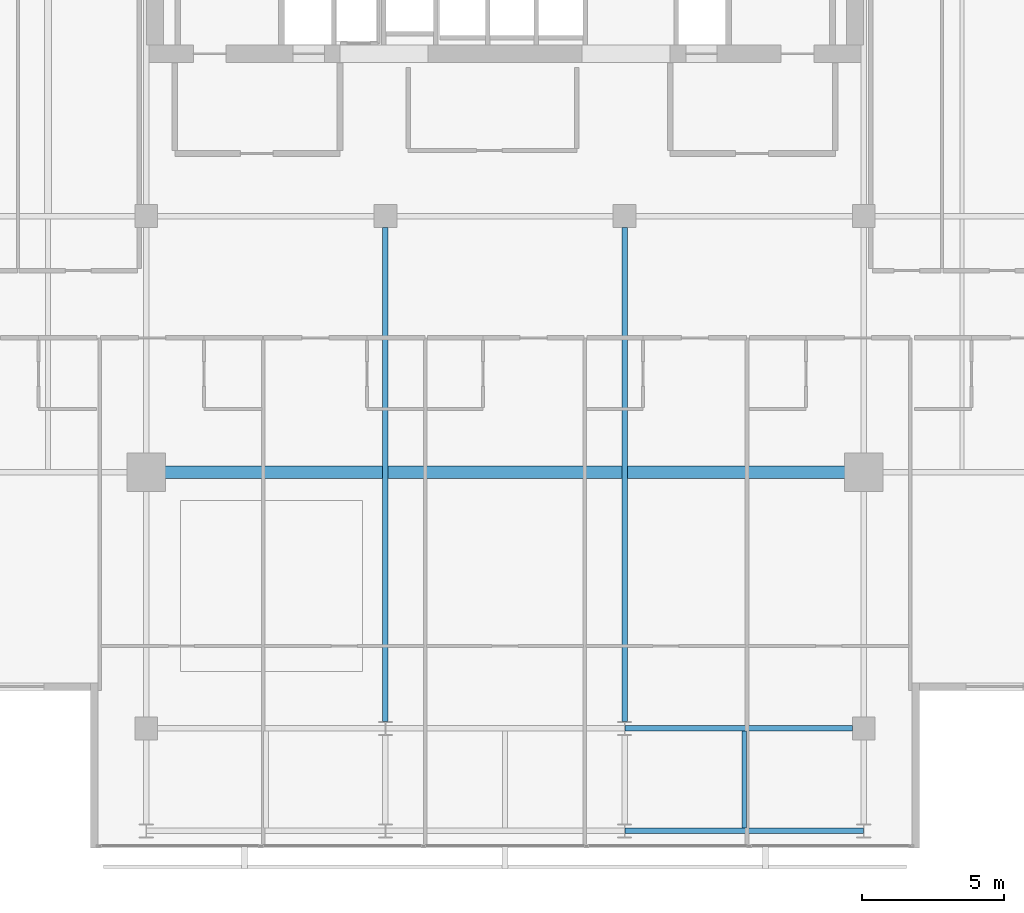
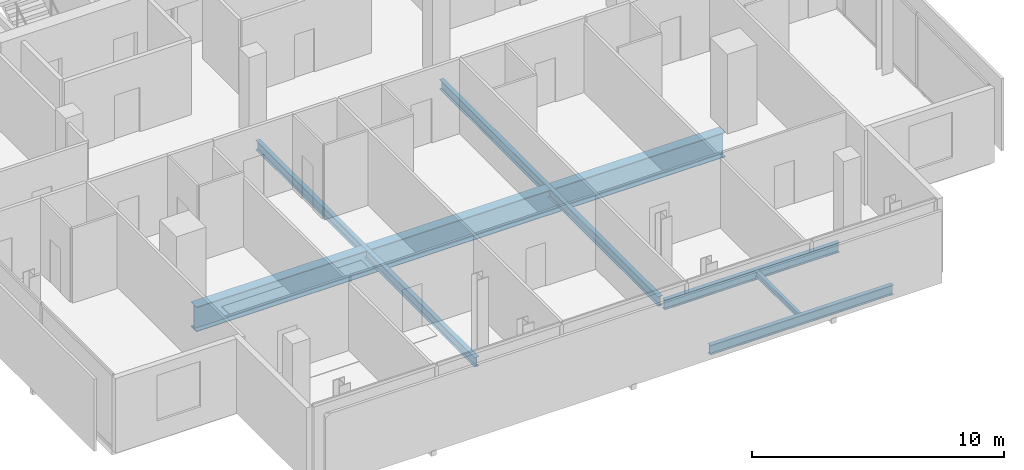
# One storey, part 6 of 24: 6 beams.
"""IFC4 building model written with IfcOpenShell, lengths in metres."""

from ifc_helpers import new_model, si_unit, direction, frame, origin, origin_2d, place, context, subcontext, project, spatial, i_section, extrude, material, material_profile, profile_set, type_object, element, save


model = new_model("IFC4")

# Units and contexts
model_context = context("Model", 3, precision=1e-05, world=origin(), true_north=direction((0.0, 1.0)))
body_context = subcontext(model_context, "Body", "Model", "MODEL_VIEW")
ifc_project = project(units=[si_unit("LENGTHUNIT", "METRE"), si_unit("AREAUNIT", "SQUARE_METRE"), si_unit("VOLUMEUNIT", "CUBIC_METRE"), si_unit("PLANEANGLEUNIT", "RADIAN"), si_unit("MASSUNIT", "GRAM", prefix="KILO")], contexts=[model_context])

# Site, building, storey
site_placement = place(None, origin())
site = spatial("IfcSite", under=ifc_project, at=site_placement, CompositionType="ELEMENT")
building_placement = place(site_placement, origin())
building = spatial("IfcBuilding", under=site, at=building_placement, Name="Maruvema Waterfront Hotel and Observation Tower", CompositionType="ELEMENT")
storey_placement = place(building_placement, frame((0.0, 0.0, 329.699951171875)))
storey = spatial("IfcBuildingStorey", under=building, at=storey_placement, Name="L81", CompositionType="ELEMENT", Elevation=329.699951171875)

# Beams
ifc_material_1 = material(Name="Steel ASTM A572 Grade 50", Category="steel")
ifc_material_profile_1 = material_profile(ifc_material_1, i_section(OverallWidth=0.194091796875, OverallDepth=0.468994140625, WebThickness=0.0126953125, FlangeThickness=0.0205078125, FilletRadius=0.014892578125, at=origin_2d()), Name="W460x106.0")
ifc_profile_set_1 = profile_set([ifc_material_profile_1], Name="Steel ASTM A572 Grade 50")
beam_type_1 = type_object("IfcBeamType", Name="Primary Floor Girder W460x106.0", PredefinedType="BEAM", material=ifc_profile_set_1)
beam_1_placement = place(storey_placement, frame((42.010986328125, 14.39990234375, -0.474365234375), z_axis=(1.0, 0.0, 0.0), x_axis=(0.0, 1.0, 0.0)))
element("IfcBeam", 1, at=beam_1_placement, inside=storey, type_object=beam_type_1, Name="L81 Floor Girder EW-03", PredefinedType="BEAM", context=body_context, shape_type="SweptSolid", body=[
    extrude(i_section(OverallWidth=0.194091796875, OverallDepth=0.468994140625, WebThickness=0.0126953125, FlangeThickness=0.0205078125, FilletRadius=0.014892578125, at=origin_2d()), origin(), (0.0, 0.0, 1.0), 8.3779296875),
])
beam_2_placement = place(storey_placement, frame((42.010986328125, 18.0, -0.474365234375), z_axis=(1.0, 0.0, 0.0), x_axis=(0.0, 1.0, 0.0)))
element("IfcBeam", 2, at=beam_2_placement, inside=storey, type_object=beam_type_1, Name="L81 Floor Girder EW-06", PredefinedType="BEAM", context=body_context, shape_type="SweptSolid", body=[
    extrude(i_section(OverallWidth=0.194091796875, OverallDepth=0.468994140625, WebThickness=0.0126953125, FlangeThickness=0.0205078125, FilletRadius=0.014892578125, at=origin_2d()), origin(), (0.0, 0.0, 1.0), 7.989013671875),
])
for number, where, z_axis, x_axis, name in (
    (3, (33.60009765625, 18.25, -0.474365234375), (0.0, 1.0, 0.0), (-1.0, 0.0, 0.0), "L81 Floor Girder NS-08"),
    (4, (42.0, 18.25, -0.474365234375), (0.0, 1.0, 0.0), (-1.0, 0.0, 0.0), "L81 Floor Girder NS-10"),
):
    element("IfcBeam", number, at=place(storey_placement, frame(where, z_axis=z_axis, x_axis=x_axis)), inside=storey, type_object=beam_type_1, Name=name, PredefinedType="BEAM", context=body_context, shape_type="SweptSolid", body=[
        extrude(i_section(OverallWidth=0.194091796875, OverallDepth=0.468994140625, WebThickness=0.0126953125, FlangeThickness=0.0205078125, FilletRadius=0.014892578125, at=origin_2d()), origin(), (0.0, 0.0, 1.0), 17.35009765625),
    ])
ifc_material_2 = material(Name="Steel ASTM A572 Grade 50", Category="steel")
ifc_material_profile_2 = material_profile(ifc_material_2, i_section(OverallWidth=0.14794921875, OverallDepth=0.26611328125, WebThickness=0.007568359375, FlangeThickness=0.012939453125, FilletRadius=0.012939453125, at=origin_2d()), Name="W250x44.8")
ifc_profile_set_2 = profile_set([ifc_material_profile_2], Name="Steel ASTM A572 Grade 50")
beam_type_2 = type_object("IfcBeamType", Name="Secondary Floor Joist W250x44.8", PredefinedType="JOIST", material=ifc_profile_set_2)
beam_3_placement = place(storey_placement, frame((46.199951171875, 14.4970703125, -0.373046875), z_axis=(0.0, 1.0, 0.0), x_axis=(-1.0, 0.0, 0.0)))
element("IfcBeam", 5, at=beam_3_placement, inside=storey, type_object=beam_type_2, Name="L81 Secondary Floor Joist JS-05", PredefinedType="JOIST", context=body_context, shape_type="SweptSolid", body=[
    extrude(i_section(OverallWidth=0.14794921875, OverallDepth=0.26611328125, WebThickness=0.007568359375, FlangeThickness=0.012939453125, FilletRadius=0.012939453125, at=origin_2d()), origin(), (0.0, 0.0, 1.0), 3.406005859375),
])
ifc_material_3 = material(Name="Steel ABNT NBR 7007 AR 415 (ASTM A572 Grade 50)", Category="steel")
ifc_material_profile_3 = material_profile(ifc_material_3, i_section(OverallWidth=0.449951171875, OverallDepth=1.199951171875, WebThickness=0.01904296875, FlangeThickness=0.031982421875, at=origin_2d()), Name="VS1200x366")
ifc_profile_set_3 = profile_set([ifc_material_profile_3], Name="Steel ABNT NBR 7007 AR 415 (ASTM A572 Grade 50)")
beam_type_3 = type_object("IfcBeamType", Name="Upper Setback Transfer Girder VS1200x366", PredefinedType="USERDEFINED", material=ifc_profile_set_3)
beam_4_placement = place(storey_placement, frame((25.699951171875, 27.0, -0.83984375), z_axis=(1.0, 0.0, 0.0), x_axis=(0.0, 1.0, 0.0)))
element("IfcBeam", 6, at=beam_4_placement, inside=storey, type_object=beam_type_3, Name="L81 Floor Girder EW-08", ObjectType="TRANSFER GIRDER", PredefinedType="USERDEFINED", context=body_context, shape_type="SweptSolid", body=[
    extrude(i_section(OverallWidth=0.449951171875, OverallDepth=1.199951171875, WebThickness=0.01904296875, FlangeThickness=0.031982421875, at=origin_2d()), origin(), (0.0, 0.0, 1.0), 24.199951171875),
])

save(model, "model.ifc")
